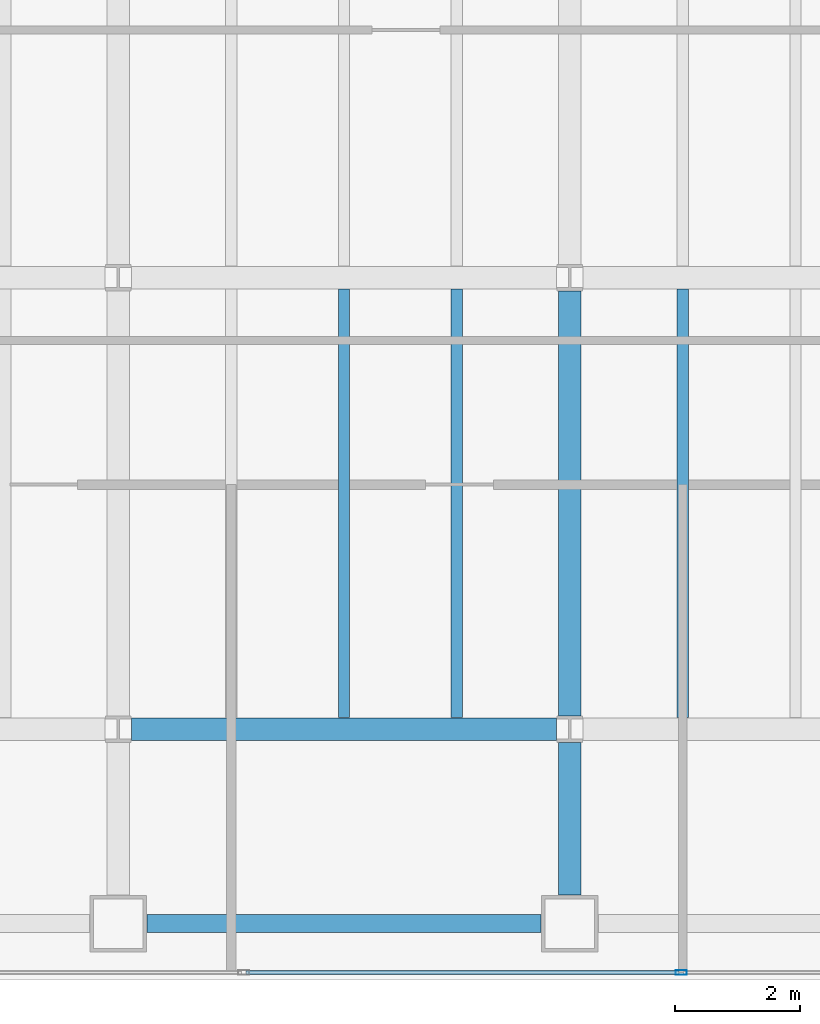
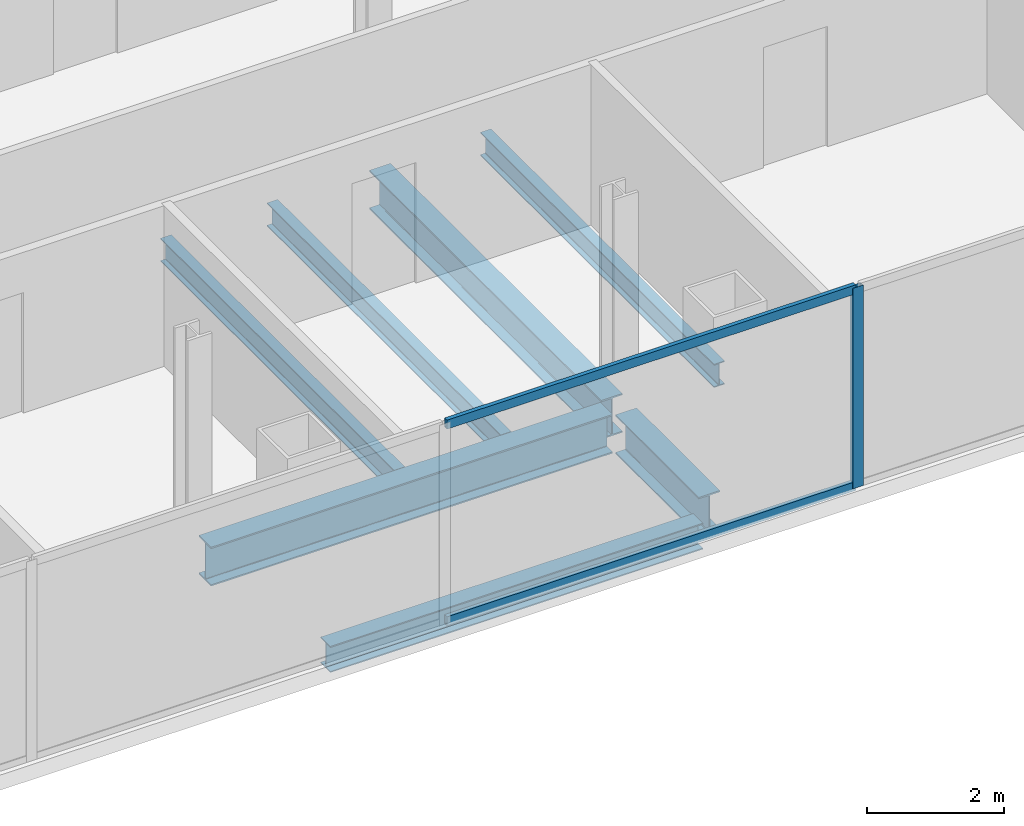
# One storey, part 5 of 23: 7 beams, 3 members, 1 element without a shape of its own.
"""IFC4 building model written with IfcOpenShell, lengths in metres."""

from ifc_helpers import new_model, si_unit, direction, frame, origin, origin_2d, place, context, subcontext, project, spatial, hollow_rectangle, i_section, extrude, material, material_profile, profile_set, type_object, element, aggregate, save


model = new_model("IFC4")

# Units and contexts
model_context = context("Model", 3, precision=1e-05, world=origin(), true_north=direction((0.0, 1.0)))
body_context = subcontext(model_context, "Body", "Model", "MODEL_VIEW")
ifc_project = project(units=[si_unit("LENGTHUNIT", "METRE"), si_unit("AREAUNIT", "SQUARE_METRE"), si_unit("VOLUMEUNIT", "CUBIC_METRE"), si_unit("PLANEANGLEUNIT", "RADIAN"), si_unit("MASSUNIT", "GRAM", prefix="KILO")], contexts=[model_context])

# Site, building, storey
site_placement = place(None, origin())
site = spatial("IfcSite", under=ifc_project, at=site_placement, CompositionType="ELEMENT")
building_placement = place(site_placement, origin())
building = spatial("IfcBuilding", under=site, at=building_placement, Name="Cobrela Telecom Tower", CompositionType="ELEMENT")
storey_placement = place(building_placement, frame((0.0, 0.0, 133.0)))
storey = spatial("IfcBuildingStorey", under=building, at=storey_placement, Name="L33", CompositionType="ELEMENT", Elevation=133.0)

# Beams
ifc_material_1 = material(Name="Steel ASTM A992 Grade 50", Category="steel")
ifc_material_profile_1 = material_profile(ifc_material_1, i_section(OverallWidth=0.35595703125, OverallDepth=0.696044921875, WebThickness=0.015380859375, FlangeThickness=0.024658203125, FilletRadius=0.01806640625, at=origin_2d()), Name="W27X146")
ifc_profile_set_1 = profile_set([ifc_material_profile_1], Name="Steel ASTM A992 Grade 50")
beam_type_1 = type_object("IfcBeamType", Name="BM-GIRD-05", PredefinedType="USERDEFINED", material=ifc_profile_set_1)
beam_1_placement = place(storey_placement, frame((21.8095703125, 7.199951171875, -0.617919921875), z_axis=(1.0, 0.0, 0.0), x_axis=(0.0, 1.0, 0.0)))
element("IfcBeam", 1, at=beam_1_placement, inside=storey, type_object=beam_type_1, Name="L33 Primary Girder X09", ObjectType="GIRDER", PredefinedType="USERDEFINED", context=body_context, shape_type="SweptSolid", body=[
    extrude(i_section(OverallWidth=0.35595703125, OverallDepth=0.696044921875, WebThickness=0.015380859375, FlangeThickness=0.024658203125, FilletRadius=0.01806640625, at=origin_2d()), origin(), (0.0, 0.0, 1.0), 6.781005859375),
])
beam_2_placement = place(storey_placement, frame((28.800048828125, 4.554931640625, -0.617919921875), z_axis=(0.0, 1.0, 0.0), x_axis=(-1.0, 0.0, 0.0)))
element("IfcBeam", 2, at=beam_2_placement, inside=storey, type_object=beam_type_1, Name="L33 Primary Girder Y46", ObjectType="GIRDER", PredefinedType="USERDEFINED", context=body_context, shape_type="SweptSolid", body=[
    extrude(i_section(OverallWidth=0.35595703125, OverallDepth=0.696044921875, WebThickness=0.015380859375, FlangeThickness=0.024658203125, FilletRadius=0.01806640625, at=origin_2d()), origin(), (0.0, 0.0, 1.0), 2.435546875),
])
beam_3_placement = place(storey_placement, frame((28.800048828125, 7.409423828125, -0.617919921875), z_axis=(0.0, 1.0, 0.0), x_axis=(-1.0, 0.0, 0.0)))
element("IfcBeam", 3, at=beam_3_placement, inside=storey, type_object=beam_type_1, Name="L33 Primary Girder Y47", ObjectType="GIRDER", PredefinedType="USERDEFINED", context=body_context, shape_type="SweptSolid", body=[
    extrude(i_section(OverallWidth=0.35595703125, OverallDepth=0.696044921875, WebThickness=0.015380859375, FlangeThickness=0.024658203125, FilletRadius=0.01806640625, at=origin_2d()), origin(), (0.0, 0.0, 1.0), 6.781005859375),
])
ifc_material_profile_2 = material_profile(ifc_material_1, i_section(OverallWidth=0.179931640625, OverallDepth=0.4169921875, WebThickness=0.010986328125, FlangeThickness=0.01806640625, FilletRadius=0.011962890625, at=origin_2d()), Name="W16X57")
ifc_profile_set_2 = profile_set([ifc_material_profile_2], Name="Steel ASTM A992 Grade 50")
beam_type_2 = type_object("IfcBeamType", Name="BM-JOIST-04", PredefinedType="JOIST", material=ifc_profile_set_2)
for number, where, z_axis, x_axis, name in (
    (4, (25.199951171875, 7.383056640625, -0.478515625), (0.0, 1.0, 0.0), (-1.0, 0.0, 0.0), "L33 Secondary Composite Floor Beam J23"),
    (5, (27.0, 7.383056640625, -0.478515625), (0.0, 1.0, 0.0), (-1.0, 0.0, 0.0), "L33 Secondary Composite Floor Beam J25"),
    (6, (30.60009765625, 7.383056640625, -0.478515625), (0.0, 1.0, 0.0), (-1.0, 0.0, 0.0), "L33 Secondary Composite Floor Beam J27"),
):
    element("IfcBeam", number, at=place(storey_placement, frame(where, z_axis=z_axis, x_axis=x_axis)), inside=storey, type_object=beam_type_2, Name=name, PredefinedType="JOIST", context=body_context, shape_type="SweptSolid", body=[
        extrude(i_section(OverallWidth=0.179931640625, OverallDepth=0.4169921875, WebThickness=0.010986328125, FlangeThickness=0.01806640625, FilletRadius=0.011962890625, at=origin_2d()), origin(), (0.0, 0.0, 1.0), 6.833984375),
    ])
ifc_material_profile_3 = material_profile(ifc_material_1, i_section(OverallWidth=0.281982421875, OverallDepth=0.467041015625, WebThickness=0.01220703125, FlangeThickness=0.01953125, FilletRadius=0.012939453125, at=origin_2d()), Name="W18X86")
ifc_profile_set_3 = profile_set([ifc_material_profile_3], Name="Steel ASTM A992 Grade 50")
beam_type_3 = type_object("IfcBeamType", Name="BM-SPAND-04", PredefinedType="SPANDREL", material=ifc_profile_set_3)
beam_4_placement = place(storey_placement, frame((22.054931640625, 4.10009765625, -0.50341796875), z_axis=(1.0, 0.0, 0.0), x_axis=(0.0, 1.0, 0.0)))
element("IfcBeam", 7, at=beam_4_placement, inside=storey, type_object=beam_type_3, Name="L33 Perimeter Spandrel X03", PredefinedType="SPANDREL", context=body_context, shape_type="SweptSolid", body=[
    extrude(i_section(OverallWidth=0.281982421875, OverallDepth=0.467041015625, WebThickness=0.01220703125, FlangeThickness=0.01953125, FilletRadius=0.012939453125, at=origin_2d()), origin(), (0.0, 0.0, 1.0), 6.2900390625),
])

# Curtain wall, members
ifc_material_2 = material(Name="Anodized Bronze Aluminium 6063-T6", Category="aluminium")
curtain_wall_type = type_object("IfcCurtainWallType", Name="CW-SYS-TEL", PredefinedType="USERDEFINED", material=ifc_material_2)
curtain_wall_placement = place(storey_placement, origin())
curtain_wall = element("IfcCurtainWall", 8, at=curtain_wall_placement, inside=storey, type_object=curtain_wall_type, Name="L33 Unitised Bronze Curtain Wall 17", ObjectType="UNITISED CURTAIN WALL", PredefinedType="USERDEFINED")
ifc_material_profile_4 = material_profile(ifc_material_2, hollow_rectangle(XDim=0.074951171875, YDim=0.179931640625, WallThickness=0.00390625, at=origin_2d()), Name="ALU 75x180x4")
ifc_profile_set_4 = profile_set([ifc_material_profile_4], Name="Anodized Bronze Aluminium 6063-T6")
member_type_1 = type_object("IfcMemberType", Name="CW-SYS-TEL-MUL", PredefinedType="MULLION", material=ifc_profile_set_4)
member_1_placement = place(storey_placement, frame((30.57666015625, 3.320068359375, 0.0), z_axis=(0.0, 0.0, 1.0), x_axis=(0.0, -1.0, 0.0)))
member_1 = element("IfcMember", 9, at=member_1_placement, type_object=member_type_1, Name="CW-TEL mullion 3", PredefinedType="MULLION", context=body_context, shape_type="SweptSolid", body=[
    extrude(hollow_rectangle(XDim=0.074951171875, YDim=0.179931640625, WallThickness=0.00390625, at=origin_2d()), origin(), (0.0, 0.0, 1.0), 3.580078125),
])
ifc_material_profile_5 = material_profile(ifc_material_2, hollow_rectangle(XDim=0.070068359375, YDim=0.159912109375, WallThickness=0.00390625, at=origin_2d()), Name="ALU 70x160x4")
ifc_profile_set_5 = profile_set([ifc_material_profile_5], Name="Anodized Bronze Aluminium 6063-T6")
member_type_2 = type_object("IfcMemberType", Name="CW-SYS-TEL-TRN", PredefinedType="USERDEFINED", material=ifc_profile_set_5)
member_2_placement = place(storey_placement, frame((30.5390625, 3.320068359375, 0.034912109375), z_axis=(-1.0, 0.0, 0.0), x_axis=(0.0, -1.0, 0.0)))
member_2 = element("IfcMember", 10, at=member_2_placement, type_object=member_type_2, Name="CW-TEL transom 3.1", ObjectType="TRANSOM", PredefinedType="USERDEFINED", context=body_context, shape_type="SweptSolid", body=[
    extrude(hollow_rectangle(XDim=0.070068359375, YDim=0.159912109375, WallThickness=0.00390625, at=origin_2d()), origin(), (0.0, 0.0, 1.0), 6.901611328125),
])
member_3_placement = place(storey_placement, frame((30.5390625, 3.320068359375, 3.544921875), z_axis=(-1.0, 0.0, 0.0), x_axis=(0.0, -1.0, 0.0)))
member_3 = element("IfcMember", 11, at=member_3_placement, type_object=member_type_2, Name="CW-TEL transom 3.2", ObjectType="TRANSOM", PredefinedType="USERDEFINED", context=body_context, shape_type="SweptSolid", body=[
    extrude(hollow_rectangle(XDim=0.070068359375, YDim=0.159912109375, WallThickness=0.00390625, at=origin_2d()), origin(), (0.0, 0.0, 1.0), 6.901611328125),
])
aggregate(curtain_wall, [member_1, member_2, member_3])

save(model, "model.ifc")
